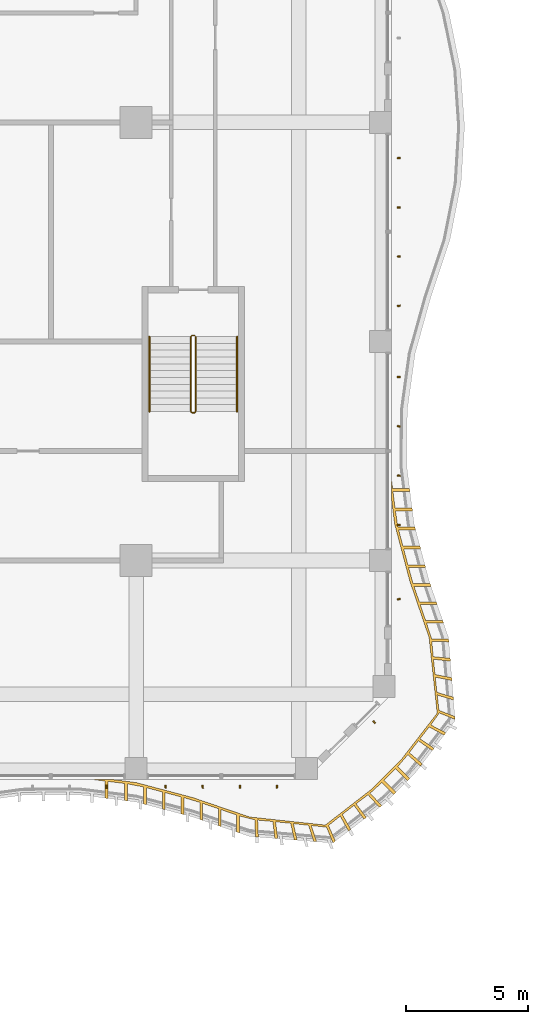
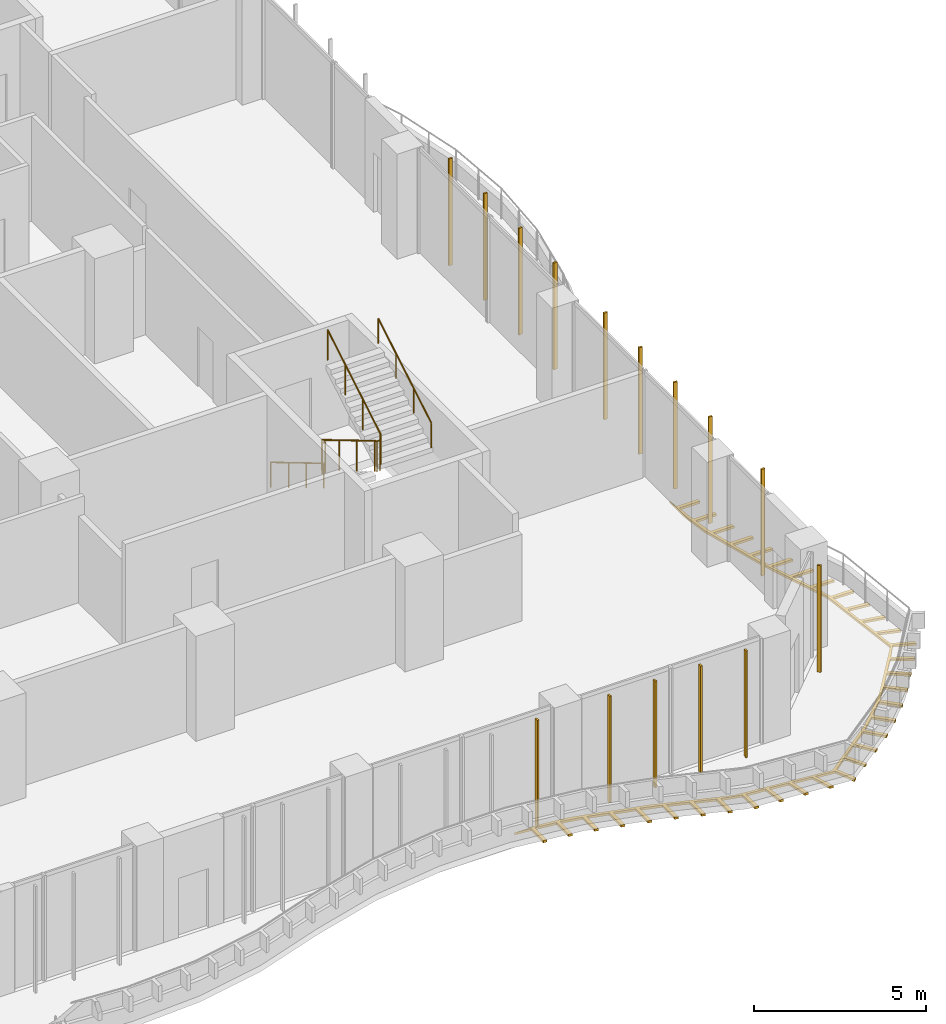
# One storey, part 28 of 29: 16 shading devices, 3 railings.
"""IFC4 building model written with IfcOpenShell, lengths in metres."""

from ifc_helpers import new_model, si_unit, direction, frame, origin, origin_2d, place, context, subcontext, project, spatial, polyline, rectangle, circle, outline, extrude, source, transform, mapped, material, layer, layer_set, material_profile, profile_set, type_object, element, save


model = new_model("IFC4")

# Units and contexts
model_context = context("Model", 3, precision=1e-05, world=origin(), true_north=direction((0.0, 1.0)))
body_context = subcontext(model_context, "Body", "Model", "MODEL_VIEW")
ifc_project = project(units=[si_unit("LENGTHUNIT", "METRE"), si_unit("AREAUNIT", "SQUARE_METRE"), si_unit("VOLUMEUNIT", "CUBIC_METRE"), si_unit("PLANEANGLEUNIT", "RADIAN"), si_unit("MASSUNIT", "GRAM", prefix="KILO")], contexts=[model_context])

# Site, building, storey
site_placement = place(None, origin())
site = spatial("IfcSite", under=ifc_project, at=site_placement, CompositionType="ELEMENT")
building_placement = place(site_placement, origin())
building = spatial("IfcBuilding", under=site, at=building_placement, Name="Kilnfold Tower and Market Hall", CompositionType="ELEMENT")
storey_placement = place(building_placement, frame((0.0, 0.0, 27.0)))
storey = spatial("IfcBuildingStorey", under=building, at=storey_placement, Name="L05", CompositionType="ELEMENT", Elevation=27.0)

# Railings
ifc_material_1 = material(Name="Stainless steel 316", Category="steel")
railing_type_1 = type_object("IfcRailingType", Name="CORE STAIR GUARD 1100", PredefinedType="GUARDRAIL", material=ifc_material_1)
railing_1_placement = place(storey_placement, frame((19.89990234375, -9.75, 0.0)))
element("IfcRailing", 1, at=railing_1_placement, inside=storey, type_object=railing_type_1, Name="L05 ST4 stair guard 1", PredefinedType="GUARDRAIL", context=body_context, shape_type="SweptSolid", body=[
    extrude(circle(Radius=0.02392578125, at=origin_2d()), frame((0.0, 0.0, 1.076171875), z_axis=(-1.0, 0.0, 0.0), x_axis=(0.0, -1.0, 0.0)), (0.0, 0.0, 1.0), 0.099853515625),
    extrude(circle(Radius=0.02392578125, at=origin_2d()), frame((-0.099853515625, 0.0, 1.076171875), z_axis=(-0.27628659633, -0.27628659633, 0.920506074601), x_axis=(0.707106781187, -0.707106781187, 0.0)), (0.0, 0.0, 1.0), 0.18115234375),
    extrude(circle(Radius=0.02392578125, at=origin_2d()), frame((-0.14990234375, -0.050048828125, 1.24267578125), z_axis=(0.0, -0.859290745958, 0.51148745235), x_axis=(1.0, 0.0, 0.0)), (0.0, 0.0, 1.0), 3.584228515625),
    extrude(circle(Radius=0.02392578125, at=origin_2d()), frame((-0.14990234375, -3.1298828125, 3.076171875), z_axis=(0.707106781187, -0.707106781187, 0.0), x_axis=(0.707106781187, 0.707106781187, 0.0)), (0.0, 0.0, 1.0), 0.07080078125),
    extrude(circle(Radius=0.02392578125, at=origin_2d()), frame((-0.099853515625, -3.179931640625, 3.076171875), z_axis=(1.0, 0.0, 0.0), x_axis=(0.0, 1.0, 0.0)), (0.0, 0.0, 1.0), 0.099853515625),
    extrude(circle(Radius=0.02392578125, at=origin_2d()), frame((0.0, -3.179931640625, 3.076171875), z_axis=(0.27628659633, 0.27628659633, 0.920506074601), x_axis=(-0.707106781187, 0.707106781187, 0.0)), (0.0, 0.0, 1.0), 0.18115234375),
    extrude(circle(Radius=0.02392578125, at=origin_2d()), frame((0.050048828125, -3.1298828125, 3.24267578125), z_axis=(0.0, 0.859290745958, 0.51148745235), x_axis=(-1.0, 0.0, 0.0)), (0.0, 0.0, 1.0), 3.584228515625),
    extrude(circle(Radius=0.02099609375, at=origin_2d()), origin(), (0.0, 0.0, 1.0), 1.052001953125),
    extrude(circle(Radius=0.02099609375, at=origin_2d()), frame((-0.099853515625, 0.0, 0.0)), (0.0, 0.0, 1.0), 1.052001953125),
    extrude(circle(Radius=0.02099609375, at=origin_2d()), frame((-0.14990234375, -0.050048828125, 0.166748046875)), (0.0, 0.0, 1.0), 1.052001953125),
    extrude(circle(Radius=0.02099609375, at=origin_2d()), frame((-0.14990234375, -1.07666015625, 0.77783203125)), (0.0, 0.0, 1.0), 1.052001953125),
    extrude(circle(Radius=0.02099609375, at=origin_2d()), frame((-0.14990234375, -2.103271484375, 1.388916015625)), (0.0, 0.0, 1.0), 1.052001953125),
    extrude(circle(Radius=0.02099609375, at=origin_2d()), frame((-0.14990234375, -3.1298828125, 2.0)), (0.0, 0.0, 1.0), 1.052001953125),
    extrude(circle(Radius=0.02099609375, at=origin_2d()), frame((-0.099853515625, -3.179931640625, 2.0)), (0.0, 0.0, 1.0), 1.052001953125),
    extrude(circle(Radius=0.02099609375, at=origin_2d()), frame((0.0, -3.179931640625, 2.0)), (0.0, 0.0, 1.0), 1.052001953125),
    extrude(circle(Radius=0.02099609375, at=origin_2d()), frame((0.050048828125, -3.1298828125, 2.166748046875)), (0.0, 0.0, 1.0), 1.052001953125),
    extrude(circle(Radius=0.02099609375, at=origin_2d()), frame((0.050048828125, -2.103271484375, 2.77783203125)), (0.0, 0.0, 1.0), 1.052001953125),
    extrude(circle(Radius=0.02099609375, at=origin_2d()), frame((0.050048828125, -1.07666015625, 3.388916015625)), (0.0, 0.0, 1.0), 1.052001953125),
    extrude(circle(Radius=0.02099609375, at=origin_2d()), frame((0.050048828125, -0.050048828125, 4.0)), (0.0, 0.0, 1.0), 1.052001953125),
])
ifc_material_2 = material(Name="Stainless steel 316", Category="steel")
railing_type_2 = type_object("IfcRailingType", Name="CORE STAIR HANDRAIL 900", PredefinedType="HANDRAIL", material=ifc_material_2)
railing_2_placement = place(storey_placement, frame((18.050048828125, -9.800048828125, 0.166748046875)))
element("IfcRailing", 2, at=railing_2_placement, inside=storey, type_object=railing_type_2, Name="L05 ST4 stair handrail 1", PredefinedType="HANDRAIL", context=body_context, shape_type="SweptSolid", body=[
    extrude(circle(Radius=0.02392578125, at=origin_2d()), frame((0.0, 0.0, 0.8759765625), z_axis=(0.0, -0.859290745958, 0.51148745235), x_axis=(1.0, 0.0, 0.0)), (0.0, 0.0, 1.0), 3.584228515625),
    extrude(circle(Radius=0.02099609375, at=origin_2d()), origin(), (0.0, 0.0, 1.0), 0.851806640625),
    extrude(circle(Radius=0.02099609375, at=origin_2d()), frame((0.0, -1.026611328125, 0.611083984375)), (0.0, 0.0, 1.0), 0.851806640625),
    extrude(circle(Radius=0.02099609375, at=origin_2d()), frame((0.0, -2.05322265625, 1.22216796875)), (0.0, 0.0, 1.0), 0.851806640625),
    extrude(circle(Radius=0.02099609375, at=origin_2d()), frame((0.0, -3.079833984375, 1.833251953125)), (0.0, 0.0, 1.0), 0.851806640625),
])
railing_3_placement = place(storey_placement, frame((21.64990234375, -12.8798828125, 2.166748046875)))
element("IfcRailing", 3, at=railing_3_placement, inside=storey, type_object=railing_type_2, Name="L05 ST4 stair handrail 2", PredefinedType="HANDRAIL", context=body_context, shape_type="SweptSolid", body=[
    extrude(circle(Radius=0.02392578125, at=origin_2d()), frame((0.0, 0.0, 0.8759765625), z_axis=(0.0, 0.859290745958, 0.51148745235), x_axis=(-1.0, 0.0, 0.0)), (0.0, 0.0, 1.0), 3.584228515625),
    extrude(circle(Radius=0.02099609375, at=origin_2d()), origin(), (0.0, 0.0, 1.0), 0.851806640625),
    extrude(circle(Radius=0.02099609375, at=origin_2d()), frame((0.0, 1.026611328125, 0.611083984375)), (0.0, 0.0, 1.0), 0.851806640625),
    extrude(circle(Radius=0.02099609375, at=origin_2d()), frame((0.0, 2.05322265625, 1.22216796875)), (0.0, 0.0, 1.0), 0.851806640625),
    extrude(circle(Radius=0.02099609375, at=origin_2d()), frame((0.0, 3.079833984375, 1.833251953125)), (0.0, 0.0, 1.0), 0.851806640625),
])

# Shading devices
ifc_material_3 = material(Name="Terracotta", Category="masonry")
ifc_material_profile = material_profile(ifc_material_3, rectangle(XDim=0.06005859375, YDim=0.1201171875, at=origin_2d()), Name="BAG 60x120")
ifc_profile_set = profile_set([ifc_material_profile], Name="Terracotta")
shading_device_type_1 = type_object("IfcShadingDeviceType", Name="BAGUETTE", PredefinedType="USERDEFINED", material=ifc_profile_set)
shared_shape_1 = source(origin(), body_context, "Body", "SweptSolid", [
    extrude(rectangle(XDim=0.06005859375, YDim=0.1201171875, at=origin_2d()), origin(), (0.0, 0.0, 1.0), 3.780029296875),
])
for number, where, z_axis, x_axis, name in (
    (4, (16.28759765625, -28.300048828125, 0.0), (0.0, 0.0, 1.0), (0.99516726154, 0.098194305127, 0.0), "Terracotta baguette L05 S"),
    (5, (18.71240234375, -28.300048828125, 0.0), (0.0, 0.0, 1.0), (0.991111824994, 0.133031388619, 0.0), "Terracotta baguette L05 S"),
    (6, (20.237548828125, -28.300048828125, 0.0), (0.0, 0.0, 1.0), (0.99700893945, 0.077286316097, 0.0), "Terracotta baguette L05 S"),
    (7, (21.762451171875, -28.300048828125, 0.0), (0.0, 0.0, 1.0), (0.999908261113, -0.013545086106, 0.0), "Terracotta baguette L05 S"),
    (8, (23.28759765625, -28.300048828125, 0.0), (0.0, 0.0, 1.0), (0.99516726154, -0.098194305127, 0.0), "Terracotta baguette L05 S"),
    (9, (27.28173828125, -25.642578125, 0.0), (0.0, 0.0, 1.0), (0.725023466457, 0.688724163281, 0.0), "Terracotta baguette L05 SE"),
    (10, (28.300048828125, -20.5908203125, 0.0), (0.0, 0.0, 1.0), (-0.115823057325, 0.993269862319, 0.0), "Terracotta baguette L05 E"),
    (11, (28.300048828125, -17.53759765625, 0.0), (0.0, 0.0, 1.0), (0.052900659543, 0.998599779802, 0.0), "Terracotta baguette L05 E"),
    (12, (28.300048828125, -15.512451171875, 0.0), (0.0, 0.0, 1.0), (0.134043261731, 0.990975481021, 0.0), "Terracotta baguette L05 E"),
    (13, (28.300048828125, -13.487548828125, 0.0), (0.0, 0.0, 1.0), (0.112122796515, 0.993694358695, 0.0), "Terracotta baguette L05 E"),
    (14, (28.300048828125, -11.46240234375, 0.0), (0.0, 0.0, 1.0), (0.00368089108, 0.999993225497, 0.0), "Terracotta baguette L05 E"),
    (15, (28.300048828125, -8.53759765625, 0.0), (0.0, 0.0, 1.0), (-0.1336160434, 0.991033174493, 0.0), "Terracotta baguette L05 E"),
    (16, (28.300048828125, -6.512451171875, 0.0), (0.0, 0.0, 1.0), (-0.113040205903, 0.993590414532, 0.0), "Terracotta baguette L05 E"),
    (17, (28.300048828125, -4.487548828125, 0.0), (0.0, 0.0, 1.0), (-0.005246435663, 0.999986237362, 0.0), "Terracotta baguette L05 E"),
    (18, (28.300048828125, -2.46240234375, 0.0), (0.0, 0.0, 1.0), (0.106628508082, 0.99429892953, 0.0), "Terracotta baguette L05 E"),
):
    element("IfcShadingDevice", number, at=place(storey_placement, frame(where, z_axis=z_axis, x_axis=x_axis)), inside=storey, type_object=shading_device_type_1, Name=name, ObjectType="BAGUETTE", PredefinedType="USERDEFINED", context=body_context, shape_type="MappedRepresentation", body=[
        mapped(shared_shape_1, transform((0.0, 0.0, 0.0))),
    ])
ifc_material_4 = material(Name="Bronze anodised aluminium", Category="aluminium")
ifc_layer = layer(ifc_material_4, 0.080078125)
ifc_layer_set = layer_set([ifc_layer], Name="Bronze anodised aluminium")
shading_device_type_2 = type_object("IfcShadingDeviceType", Name="BRONZE SLAT SOFFIT 80", PredefinedType="USERDEFINED", material=ifc_layer_set)
shared_shape_2 = source(origin(), body_context, "Body", "SweptSolid", [
    extrude(outline(polyline([(17.5, -28.12548828125), (19.833251953125, -28.74365234375), (22.166748046875, -29.540283203125), (25.27587890625, -29.873291015625), (27.208740234375, -28.37548828125), (28.37548828125, -27.208740234375), (29.873291015625, -25.27587890625), (29.540283203125, -22.166748046875), (28.74365234375, -19.833251953125), (28.12548828125, -17.5), (28.0, -16.50341796875), (28.0, -15.710205078125), (28.04248046875, -16.04638671875), (28.742431640625, -16.04638671875), (28.75732421875, -16.16552734375), (28.057373046875, -16.16552734375), (28.142333984375, -16.840087890625), (28.84228515625, -16.840087890625), (28.857421875, -16.959228515625), (28.157470703125, -16.959228515625), (28.26025390625, -17.63037109375), (28.960205078125, -17.63037109375), (28.990966796875, -17.746337890625), (28.291015625, -17.746337890625), (28.465087890625, -18.40380859375), (29.1650390625, -18.40380859375), (29.19580078125, -18.519775390625), (28.49560546875, -18.519775390625), (28.669921875, -19.177001953125), (29.369873046875, -19.177001953125), (29.400634765625, -19.293212890625), (28.70068359375, -19.293212890625), (28.8828125, -19.947998046875), (29.582763671875, -19.947998046875), (29.62158203125, -20.0615234375), (28.921630859375, -20.0615234375), (29.141357421875, -20.705078125), (29.84130859375, -20.705078125), (29.856689453125, -20.750244140625), (29.8798828125, -20.818603515625), (29.179931640625, -20.818603515625), (29.399658203125, -21.462158203125), (30.099609375, -21.462158203125), (30.138427734375, -21.57568359375), (29.4384765625, -21.57568359375), (29.64453125, -22.2177734375), (30.344482421875, -22.22216796875), (30.35400390625, -22.341796875), (29.654296875, -22.327880859375), (29.71142578125, -22.95166015625), (30.408203125, -23.01953125), (30.417724609375, -23.13916015625), (29.721923828125, -23.061767578125), (29.7841796875, -23.68505859375), (30.4716796875, -23.81689453125), (30.481201171875, -23.9365234375), (29.795654296875, -23.795166015625), (29.863037109375, -24.41943359375), (30.535400390625, -24.614501953125), (30.544921875, -24.734130859375), (29.875244140625, -24.52978515625), (29.947021484375, -25.156494140625), (30.598876953125, -25.412109375), (30.6083984375, -25.531494140625), (29.960205078125, -25.267333984375), (29.6103515625, -25.758544921875), (30.23095703125, -26.08251953125), (30.158203125, -26.177978515625), (29.543212890625, -25.84326171875), (29.166748046875, -26.32568359375), (29.745849609375, -26.71875), (29.673095703125, -26.814208984375), (29.100830078125, -26.4111328125), (28.730712890625, -26.898193359375), (29.260986328125, -27.35498046875), (29.18798828125, -27.450439453125), (28.665771484375, -26.984619140625), (28.25341796875, -27.47216796875), (28.748291015625, -27.96728515625), (28.66357421875, -28.052001953125), (28.168701171875, -27.55712890625), (27.687744140625, -28.037841796875), (28.1826171875, -28.532958984375), (28.097900390625, -28.617919921875), (27.602783203125, -28.122802734375), (27.117919921875, -28.56591796875), (27.597412109375, -29.076171875), (27.501953125, -29.14892578125), (27.03125, -28.630615234375), (26.54296875, -28.999755859375), (26.961181640625, -29.56103515625), (26.86572265625, -29.6337890625), (26.457275390625, -29.0654296875), (25.97412109375, -29.4404296875), (26.324951171875, -30.046142578125), (26.2294921875, -30.118896484375), (25.88916015625, -29.507080078125), (25.40869140625, -29.889404296875), (25.688720703125, -30.531005859375), (25.59326171875, -30.60400390625), (25.32421875, -29.957763671875), (24.69970703125, -29.894287109375), (24.918212890625, -30.5595703125), (24.798583984375, -30.550048828125), (24.58935546875, -29.882080078125), (23.964599609375, -29.813720703125), (24.120849609375, -30.495849609375), (24.001220703125, -30.486328125), (23.8544921875, -29.802001953125), (23.23095703125, -29.738525390625), (23.3232421875, -30.432373046875), (23.20361328125, -30.4228515625), (23.12109375, -29.727783203125), (22.49755859375, -29.66943359375), (22.52587890625, -30.368896484375), (22.40625, -30.359375), (22.38720703125, -29.659423828125), (21.75048828125, -29.498291015625), (21.75048828125, -30.1982421875), (21.636962890625, -30.159423828125), (21.636962890625, -29.45947265625), (20.993408203125, -29.23974609375), (20.993408203125, -29.939697265625), (20.8798828125, -29.90087890625), (20.8798828125, -29.200927734375), (20.236328125, -28.981201171875), (20.236328125, -29.681396484375), (20.122802734375, -29.642578125), (20.122802734375, -28.9423828125), (19.4716796875, -28.747802734375), (19.4716796875, -29.447998046875), (19.355712890625, -29.417236328125), (19.355712890625, -28.71728515625), (18.6982421875, -28.54296875), (18.6982421875, -29.242919921875), (18.582275390625, -29.21240234375), (18.582275390625, -28.51220703125), (17.925048828125, -28.338134765625), (17.925048828125, -29.0380859375), (17.80908203125, -29.007568359375), (17.80908203125, -28.3076171875), (17.142578125, -28.180419921875), (17.142578125, -28.880615234375), (17.0234375, -28.865478515625), (17.0234375, -28.16552734375), (16.348876953125, -28.08056640625), (16.348876953125, -28.780517578125), (16.229736328125, -28.765380859375), (16.229736328125, -28.0654296875), (15.710205078125, -28.0), (16.50341796875, -28.0), (17.5, -28.12548828125)])), origin(), (0.0, 0.0, 1.0), 0.080078125),
])
shading_device_placement = place(storey_placement, frame((0.0, 0.0, -0.300048828125)))
element("IfcShadingDevice", 19, at=shading_device_placement, inside=storey, type_object=shading_device_type_2, Name="Balcony soffit slats L05", ObjectType="SLAT", PredefinedType="USERDEFINED", context=body_context, shape_type="MappedRepresentation", body=[
    mapped(shared_shape_2, transform((0.0, 0.0, 0.0))),
])

save(model, "model.ifc")
